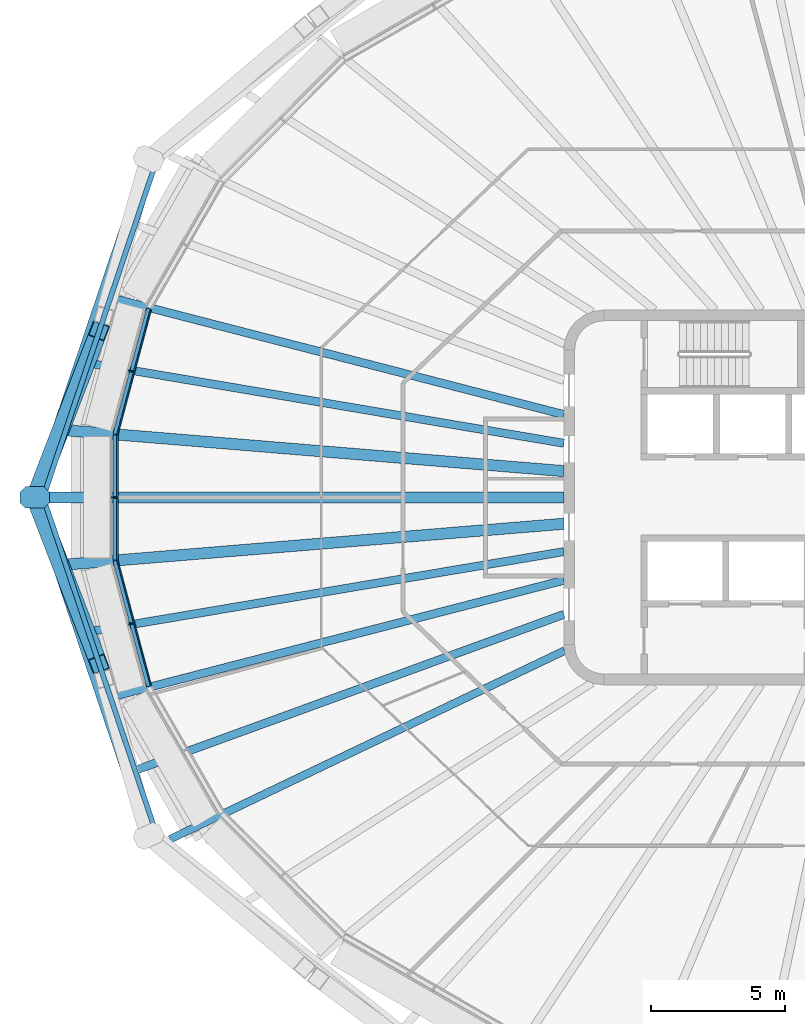
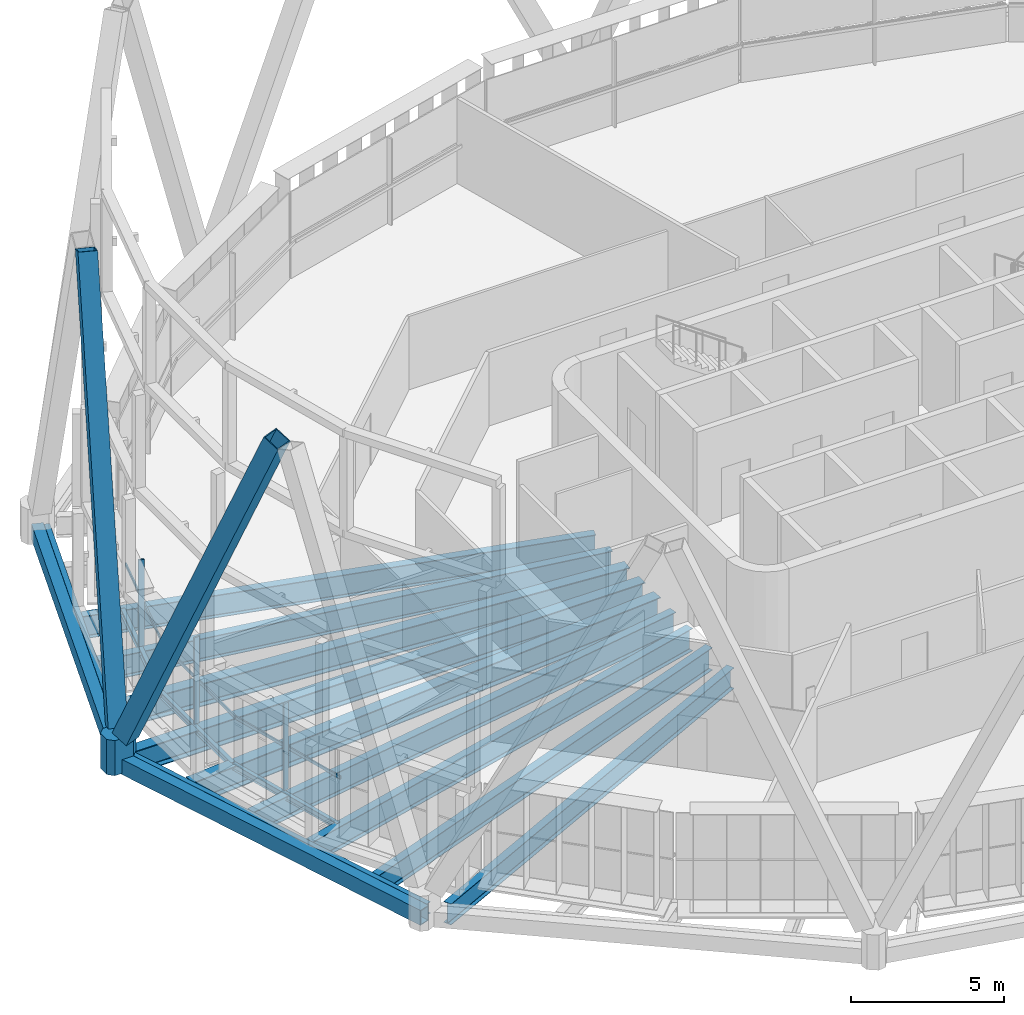
# One storey, part 3 of 22: 16 beams, 9 members, 3 elements without a shape of their own.
"""IFC4 building model written with IfcOpenShell, lengths in metres."""

from ifc_helpers import new_model, si_unit, direction, frame, origin, origin_2d, place, context, subcontext, project, spatial, polyline, rectangle, hollow_rectangle, i_section, outline, extrude, material, layer, layer_set, material_profile, profile_set, type_object, element, aggregate, save


model = new_model("IFC4")

# Units and contexts
model_context = context("Model", 3, precision=1e-05, world=origin(), true_north=direction((0.0, 1.0)))
body_context = subcontext(model_context, "Body", "Model", "MODEL_VIEW")
ifc_project = project(units=[si_unit("LENGTHUNIT", "METRE"), si_unit("AREAUNIT", "SQUARE_METRE"), si_unit("VOLUMEUNIT", "CUBIC_METRE"), si_unit("PLANEANGLEUNIT", "RADIAN"), si_unit("MASSUNIT", "GRAM", prefix="KILO")], contexts=[model_context])

# Site, building, storey
site_placement = place(None, origin())
site = spatial("IfcSite", under=ifc_project, at=site_placement, CompositionType="ELEMENT")
building_placement = place(site_placement, origin())
building = spatial("IfcBuilding", under=site, at=building_placement, Name="Sahrelin Media Tower", CompositionType="ELEMENT")
storey_placement = place(building_placement, frame((0.0, 0.0, 283.0)))
storey = spatial("IfcBuildingStorey", under=building, at=storey_placement, Name="L62", CompositionType="ELEMENT", Elevation=283.0)

# Members
ifc_material_1 = material(Name="Steel S460", Category="steel")
ifc_material_profile_1 = material_profile(ifc_material_1, hollow_rectangle(XDim=0.64990234375, YDim=0.64990234375, WallThickness=0.034912109375, at=origin_2d()), Name="Diagrid diagonal DG8")
ifc_profile_set_1 = profile_set([ifc_material_profile_1], Name="Steel S460")
member_type_1 = type_object("IfcMemberType", Name="Diagrid diagonal DG8", PredefinedType="BRACE", material=ifc_profile_set_1)
for number, where, z_axis, x_axis, name in (
    (1, (-31.649658203125, 0.284912109375, 0.699951171875), (0.14377018797, 0.373051450427, 0.916603921214), (-0.933103312613, 0.359608409232, 0.0), "Diagrid diagonal D14-11"),
    (2, (-31.649658203125, -0.284912109375, 0.699951171875), (0.14377018797, -0.373051450427, 0.916603921214), (0.933103312613, 0.359608409232, 0.0), "Diagrid diagonal D14-12"),
):
    element("IfcMember", number, at=place(storey_placement, frame(where, z_axis=z_axis, x_axis=x_axis)), inside=storey, type_object=member_type_1, Name=name, PredefinedType="BRACE", context=body_context, shape_type="SweptSolid", body=[
        extrude(hollow_rectangle(XDim=0.64990234375, YDim=0.64990234375, WallThickness=0.034912109375, at=origin_2d()), origin(), (0.0, 0.0, 1.0), 15.928466796875),
    ])
ifc_material_profile_2 = material_profile(ifc_material_1, outline(polyline([(0.35009765625, -0.39990234375), (0.550048828125, -0.199951171875), (0.550048828125, 0.199951171875), (0.35009765625, 0.39990234375), (-0.35009765625, 0.39990234375), (-0.550048828125, 0.199951171875), (-0.550048828125, -0.199951171875), (-0.35009765625, -0.39990234375), (0.35009765625, -0.39990234375)])), Name="Diagrid node block 1100")
ifc_profile_set_2 = profile_set([ifc_material_profile_2], Name="Steel S460")
member_type_2 = type_object("IfcMemberType", Name="Diagrid node block 1100", PredefinedType="USERDEFINED", material=ifc_profile_set_2)
member_1_placement = place(storey_placement, frame((-31.759521484375, 0.0, -0.699951171875), z_axis=(0.0, 0.0, 1.0), x_axis=(-1.0, 0.0, 0.0)))
element("IfcMember", 3, at=member_1_placement, inside=storey, type_object=member_type_2, Name="Diagrid node N14-06", ObjectType="NODE", PredefinedType="USERDEFINED", context=body_context, shape_type="SweptSolid", body=[
    extrude(outline(polyline([(0.35009765625, -0.39990234375), (0.550048828125, -0.199951171875), (0.550048828125, 0.199951171875), (0.35009765625, 0.39990234375), (-0.35009765625, 0.39990234375), (-0.550048828125, 0.199951171875), (-0.550048828125, -0.199951171875), (-0.35009765625, -0.39990234375), (0.35009765625, -0.39990234375)])), origin(), (0.0, 0.0, 1.0), 1.39990234375),
])

# Beams
ifc_material_profile_3 = material_profile(ifc_material_1, hollow_rectangle(XDim=0.39990234375, YDim=0.60009765625, WallThickness=0.030029296875, at=origin_2d()), Name="Diagrid ring beam RB1")
ifc_profile_set_3 = profile_set([ifc_material_profile_3], Name="Steel S460")
beam_type_1 = type_object("IfcBeamType", Name="Diagrid ring beam RB1", PredefinedType="BEAM", material=ifc_profile_set_3)
for number, where, z_axis, x_axis, name in (
    (4, (-27.50439453125, 12.645263671875, -0.449951171875), (-0.318927366854, -0.94777915923, 0.0), (0.94777915923, -0.318927366854, 0.0), "Diagrid ring beam RB14-05"),
    (5, (-31.759521484375, 0.0, -0.449951171875), (0.318927366854, -0.94777915923, 0.0), (0.94777915923, 0.318927366854, 0.0), "Diagrid ring beam RB14-06"),
):
    element("IfcBeam", number, at=place(storey_placement, frame(where, z_axis=z_axis, x_axis=x_axis)), inside=storey, type_object=beam_type_1, Name=name, PredefinedType="BEAM", context=body_context, shape_type="SweptSolid", body=[
        extrude(hollow_rectangle(XDim=0.39990234375, YDim=0.60009765625, WallThickness=0.030029296875, at=origin_2d()), origin(), (0.0, 0.0, 1.0), 13.342041015625),
    ])
ifc_material_2 = material(Name="Steel S355", Category="steel")
ifc_material_profile_4 = material_profile(ifc_material_2, i_section(OverallWidth=0.14599609375, OverallDepth=0.25146484375, WebThickness=0.006103515625, FlangeThickness=0.008544921875, FilletRadius=0.007568359375, at=origin_2d()), Name="UB 254x146x31")
ifc_profile_set_4 = profile_set([ifc_material_profile_4], Name="Steel S355")
beam_type_2 = type_object("IfcBeamType", Name="Edge beam EB1", PredefinedType="BEAM", material=ifc_profile_set_4)
beam_1_placement = place(storey_placement, frame((-27.5078125, -7.055908203125, -0.275634765625), z_axis=(-0.25881981979, 0.965925618712, 0.0), x_axis=(-0.965925618712, -0.25881981979, 0.0)))
element("IfcBeam", 6, at=beam_1_placement, inside=storey, type_object=beam_type_2, Name="Edge beam L62-12", PredefinedType="BEAM", context=body_context, shape_type="SweptSolid", body=[
    extrude(i_section(OverallWidth=0.14599609375, OverallDepth=0.25146484375, WebThickness=0.006103515625, FlangeThickness=0.008544921875, FilletRadius=0.007568359375, at=origin_2d()), origin(), (0.0, 0.0, 1.0), 4.85791015625),
])
beam_2_placement = place(storey_placement, frame((-28.768798828125, -2.3349609375, -0.275634765625), z_axis=(0.0, 1.0, 0.0), x_axis=(-1.0, 0.0, 0.0)))
element("IfcBeam", 7, at=beam_2_placement, inside=storey, type_object=beam_type_2, Name="Edge beam L62-13", PredefinedType="BEAM", context=body_context, shape_type="SweptSolid", body=[
    extrude(i_section(OverallWidth=0.14599609375, OverallDepth=0.25146484375, WebThickness=0.006103515625, FlangeThickness=0.008544921875, FilletRadius=0.007568359375, at=origin_2d()), origin(), (0.0, 0.0, 1.0), 4.669921875),
])
beam_3_placement = place(storey_placement, frame((-28.76513671875, 2.363525390625, -0.275634765625), z_axis=(0.25881981979, 0.965925618712, 0.0), x_axis=(-0.965925618712, 0.25881981979, 0.0)))
element("IfcBeam", 8, at=beam_3_placement, inside=storey, type_object=beam_type_2, Name="Edge beam L62-14", PredefinedType="BEAM", context=body_context, shape_type="SweptSolid", body=[
    extrude(i_section(OverallWidth=0.14599609375, OverallDepth=0.25146484375, WebThickness=0.006103515625, FlangeThickness=0.008544921875, FilletRadius=0.007568359375, at=origin_2d()), origin(), (0.0, 0.0, 1.0), 4.85791015625),
])

# Curtain wall, member
ifc_material_3 = material(Name="Champagne anodised aluminium 6063-T6", Category="aluminium")
ifc_layer = layer(ifc_material_3, 0.14990234375)
ifc_layer_set = layer_set([ifc_layer], Name="Tower ribbon curtain wall")
curtain_wall_type = type_object("IfcCurtainWallType", Name="Tower ribbon curtain wall", PredefinedType="NOTDEFINED", material=ifc_layer_set)
curtain_wall_1_placement = place(storey_placement, frame((-28.28125, 4.74853515625, 0.0), z_axis=(0.0, 0.0, 1.0), x_axis=(1.0, 0.0, 0.0)))
curtain_wall_1 = element("IfcCurtainWall", 9, at=curtain_wall_1_placement, inside=storey, type_object=curtain_wall_type, Name="L62:CW:L62-11", PredefinedType="NOTDEFINED")
ifc_material_profile_5 = material_profile(ifc_material_3, rectangle(XDim=0.06005859375, YDim=0.199951171875, at=origin_2d()), Name="Mullion 60x200")
ifc_profile_set_5 = profile_set([ifc_material_profile_5], Name="Champagne anodised aluminium 6063-T6")
member_type_3 = type_object("IfcMemberType", Name="Mullion 60x200 CW1C", PredefinedType="MULLION", material=ifc_profile_set_5)
member_2_placement = place(storey_placement, frame((-28.165283203125, 4.71728515625, 0.0), z_axis=(0.0, 0.0, 1.0), x_axis=(-0.258825788531, -0.965924019368, 0.0)))
member_2 = element("IfcMember", 10, at=member_2_placement, type_object=member_type_3, Name="L62:CWM:L62-11", PredefinedType="MULLION", context=body_context, shape_type="SweptSolid", body=[
    extrude(rectangle(XDim=0.06005859375, YDim=0.199951171875, at=origin_2d()), origin(), (0.0, 0.0, 1.0), 3.448486328125),
])

curtain_wall_2_placement = place(storey_placement, frame((-28.9189453125, 0.0, 0.0), z_axis=(0.0, 0.0, 1.0), x_axis=(1.0, 0.0, 0.0)))
curtain_wall_2 = element("IfcCurtainWall", 11, at=curtain_wall_2_placement, inside=storey, type_object=curtain_wall_type, Name="L62:CW:L62-12", PredefinedType="NOTDEFINED")
member_3_placement = place(storey_placement, frame((-28.798828125, 0.0, 0.0), z_axis=(0.0, 0.0, 1.0), x_axis=(0.0, -1.0, 0.0)))
member_3 = element("IfcMember", 12, at=member_3_placement, type_object=member_type_3, Name="L62:CWM:L62-12", PredefinedType="MULLION", context=body_context, shape_type="SweptSolid", body=[
    extrude(rectangle(XDim=0.06005859375, YDim=0.199951171875, at=origin_2d()), origin(), (0.0, 0.0, 1.0), 3.448486328125),
])

curtain_wall_3_placement = place(storey_placement, frame((-28.28125, -4.74853515625, 0.0), z_axis=(0.0, 0.0, 1.0), x_axis=(1.0, 0.0, 0.0)))
curtain_wall_3 = element("IfcCurtainWall", 13, at=curtain_wall_3_placement, inside=storey, type_object=curtain_wall_type, Name="L62:CW:L62-13", PredefinedType="NOTDEFINED")
member_4_placement = place(storey_placement, frame((-28.165283203125, -4.71728515625, 0.0), z_axis=(0.0, 0.0, 1.0), x_axis=(0.258825788531, -0.965924019368, 0.0)))
member_4 = element("IfcMember", 14, at=member_4_placement, type_object=member_type_3, Name="L62:CWM:L62-13", PredefinedType="MULLION", context=body_context, shape_type="SweptSolid", body=[
    extrude(rectangle(XDim=0.06005859375, YDim=0.199951171875, at=origin_2d()), origin(), (0.0, 0.0, 1.0), 3.448486328125),
])

# Beams
ifc_material_profile_6 = material_profile(ifc_material_2, i_section(OverallWidth=0.291748046875, OverallDepth=0.8349609375, WebThickness=0.013916015625, FlangeThickness=0.018798828125, FilletRadius=0.017822265625, at=origin_2d()), Name="UB 838x292x176")
ifc_profile_set_6 = profile_set([ifc_material_profile_6], Name="Steel S355")
beam_type_3 = type_object("IfcBeamType", Name="Radial primary beam PB10", PredefinedType="BEAM", material=ifc_profile_set_6)
beam_4_placement = place(storey_placement, frame((-11.970703125, -5.7216796875, -0.5673828125), z_axis=(-0.902234066449, -0.431246668787, 0.0), x_axis=(0.431246668787, -0.902234066449, 0.0)))
element("IfcBeam", 15, at=beam_4_placement, inside=storey, type_object=beam_type_3, Name="Radial beam L62-15", PredefinedType="BEAM", context=body_context, shape_type="SweptSolid", body=[
    extrude(i_section(OverallWidth=0.291748046875, OverallDepth=0.8349609375, WebThickness=0.013916015625, FlangeThickness=0.018798828125, FilletRadius=0.017822265625, at=origin_2d()), origin(), (0.0, 0.0, 1.0), 16.34130859375),
])
ifc_material_profile_7 = material_profile(ifc_material_2, i_section(OverallWidth=0.30322265625, OverallDepth=0.903076171875, WebThickness=0.01513671875, FlangeThickness=0.020263671875, FilletRadius=0.01904296875, at=origin_2d()), Name="UB 914x305x201")
ifc_profile_set_7 = profile_set([ifc_material_profile_7], Name="Steel S355")
beam_type_4 = type_object("IfcBeamType", Name="Radial primary beam PB11", PredefinedType="BEAM", material=ifc_profile_set_7)
for number, where, z_axis, x_axis, name in (
    (16, (-12.0, 3.093994140625, -0.6015625), (-0.968326610454, 0.249686954978, 0.0), (-0.249686954978, -0.968326610454, 0.0), "Radial beam L62-11"),
    (17, (-12.0, -3.093994140625, -0.6015625), (-0.968326610454, -0.249686954978, 0.0), (0.249686954978, -0.968326610454, 0.0), "Radial beam L62-14"),
):
    element("IfcBeam", number, at=place(storey_placement, frame(where, z_axis=z_axis, x_axis=x_axis)), inside=storey, type_object=beam_type_4, Name=name, PredefinedType="BEAM", context=body_context, shape_type="SweptSolid", body=[
        extrude(i_section(OverallWidth=0.30322265625, OverallDepth=0.903076171875, WebThickness=0.01513671875, FlangeThickness=0.020263671875, FilletRadius=0.01904296875, at=origin_2d()), origin(), (0.0, 0.0, 1.0), 17.390869140625),
    ])
ifc_material_profile_8 = material_profile(ifc_material_2, i_section(OverallWidth=0.41845703125, OverallDepth=0.911865234375, WebThickness=0.019287109375, FlangeThickness=0.031982421875, FilletRadius=0.024169921875, at=origin_2d()), Name="UB 914x419x343")
ifc_profile_set_8 = profile_set([ifc_material_profile_8], Name="Steel S355")
beam_type_5 = type_object("IfcBeamType", Name="Radial primary beam PB12", PredefinedType="BEAM", material=ifc_profile_set_8)
for number, where, z_axis, x_axis, name in (
    (18, (-12.0, 0.983154296875, -0.60595703125), (-0.996661417156, 0.081645695254, 0.0), (-0.081645695254, -0.996661417156, 0.0), "Radial beam L62-12"),
    (19, (-12.0, -0.983154296875, -0.60595703125), (-0.996661417156, -0.081645695254, 0.0), (0.081645695254, -0.996661417156, 0.0), "Radial beam L62-13"),
):
    element("IfcBeam", number, at=place(storey_placement, frame(where, z_axis=z_axis, x_axis=x_axis)), inside=storey, type_object=beam_type_5, Name=name, PredefinedType="BEAM", context=body_context, shape_type="SweptSolid", body=[
        extrude(i_section(OverallWidth=0.41845703125, OverallDepth=0.911865234375, WebThickness=0.019287109375, FlangeThickness=0.031982421875, FilletRadius=0.024169921875, at=origin_2d()), origin(), (0.0, 0.0, 1.0), 18.5634765625),
    ])
ifc_material_profile_9 = material_profile(ifc_material_2, i_section(OverallWidth=0.30322265625, OverallDepth=0.903076171875, WebThickness=0.01513671875, FlangeThickness=0.020263671875, FilletRadius=0.01904296875, at=origin_2d()), Name="UB 914x305x201")
ifc_profile_set_9 = profile_set([ifc_material_profile_9], Name="Steel S355")
beam_type_6 = type_object("IfcBeamType", Name="Radial secondary beam SB11", PredefinedType="BEAM", material=ifc_profile_set_9)
for number, where, z_axis, x_axis, name in (
    (20, (-12.0, 2.0234375, -0.6015625), (-0.986079327713, 0.166275552792, 0.0), (-0.166275552792, -0.986079327713, 0.0), "Secondary beam L62-11"),
    (21, (-12.0, -2.0234375, -0.6015625), (-0.986079327713, -0.166275552792, 0.0), (0.166275552792, -0.986079327713, 0.0), "Secondary beam L62-13"),
):
    element("IfcBeam", number, at=place(storey_placement, frame(where, z_axis=z_axis, x_axis=x_axis)), inside=storey, type_object=beam_type_6, Name=name, PredefinedType="BEAM", context=body_context, shape_type="SweptSolid", body=[
        extrude(i_section(OverallWidth=0.30322265625, OverallDepth=0.903076171875, WebThickness=0.01513671875, FlangeThickness=0.020263671875, FilletRadius=0.01904296875, at=origin_2d()), origin(), (0.0, 0.0, 1.0), 17.90869140625),
    ])
beam_5_placement = place(storey_placement, frame((-12.0, -4.368408203125, -0.6015625), z_axis=(-0.939678944204, -0.342057717089, 0.0), x_axis=(0.342057717089, -0.939678944204, 0.0)))
element("IfcBeam", 22, at=beam_5_placement, inside=storey, type_object=beam_type_6, Name="Secondary beam L62-14", PredefinedType="BEAM", context=body_context, shape_type="SweptSolid", body=[
    extrude(i_section(OverallWidth=0.30322265625, OverallDepth=0.903076171875, WebThickness=0.01513671875, FlangeThickness=0.020263671875, FilletRadius=0.01904296875, at=origin_2d()), origin(), (0.0, 0.0, 1.0), 16.944091796875),
])
ifc_material_profile_10 = material_profile(ifc_material_2, i_section(OverallWidth=0.41845703125, OverallDepth=0.911865234375, WebThickness=0.019287109375, FlangeThickness=0.031982421875, FilletRadius=0.024169921875, at=origin_2d()), Name="UB 914x419x343")
ifc_profile_set_10 = profile_set([ifc_material_profile_10], Name="Steel S355")
beam_type_7 = type_object("IfcBeamType", Name="Radial secondary beam SB12", PredefinedType="BEAM", material=ifc_profile_set_10)
beam_6_placement = place(storey_placement, frame((-12.0, 0.0, -0.60595703125), z_axis=(-1.0, 0.0, 0.0), x_axis=(0.0, -1.0, 0.0)))
element("IfcBeam", 23, at=beam_6_placement, inside=storey, type_object=beam_type_7, Name="Secondary beam L62-12", PredefinedType="BEAM", context=body_context, shape_type="SweptSolid", body=[
    extrude(i_section(OverallWidth=0.41845703125, OverallDepth=0.911865234375, WebThickness=0.019287109375, FlangeThickness=0.031982421875, FilletRadius=0.024169921875, at=origin_2d()), origin(), (0.0, 0.0, 1.0), 19.34228515625),
])
ifc_material_profile_11 = material_profile(ifc_material_2, i_section(OverallWidth=0.1904296875, OverallDepth=0.45703125, WebThickness=0.009033203125, FlangeThickness=0.014404296875, FilletRadius=0.01025390625, at=origin_2d()), Name="UB 457x191x74")
ifc_profile_set_11 = profile_set([ifc_material_profile_11], Name="Steel S355")
beam_type_8 = type_object("IfcBeamType", Name="Tie chord TC5", PredefinedType="BEAM", material=ifc_profile_set_11)
for number, where, z_axis, x_axis, name in (
    (24, (-27.248046875, -12.465576171875, -0.37841796875), (-0.318921760106, 0.947781045881, 0.0), (-0.947781045881, -0.318921760106, 0.0), "Tie chord L62-06"),
    (25, (-31.442626953125, 0.0, -0.37841796875), (0.318921760106, 0.947781045881, 0.0), (-0.947781045881, 0.318921760106, 0.0), "Tie chord L62-07"),
):
    element("IfcBeam", number, at=place(storey_placement, frame(where, z_axis=z_axis, x_axis=x_axis)), inside=storey, type_object=beam_type_8, Name=name, PredefinedType="BEAM", context=body_context, shape_type="SweptSolid", body=[
        extrude(i_section(OverallWidth=0.1904296875, OverallDepth=0.45703125, WebThickness=0.009033203125, FlangeThickness=0.014404296875, FilletRadius=0.01025390625, at=origin_2d()), origin(), (0.0, 0.0, 1.0), 13.15234375),
    ])

# Member
ifc_material_profile_12 = material_profile(ifc_material_3, rectangle(XDim=0.050048828125, YDim=0.1201171875, at=origin_2d()), Name="Transom 50x120")
ifc_profile_set_12 = profile_set([ifc_material_profile_12], Name="Champagne anodised aluminium 6063-T6")
member_type_4 = type_object("IfcMemberType", Name="Transom 50x120 CW1C", PredefinedType="USERDEFINED", material=ifc_profile_set_12)
member_5_placement = place(storey_placement, frame((-27.420166015625, 7.01611328125, 1.60009765625), z_axis=(-0.258783281788, -0.965935408331, 0.0), x_axis=(0.965935408331, -0.258783281788, 0.0)))
member_5 = element("IfcMember", 26, at=member_5_placement, type_object=member_type_4, Name="L62:CWT:L62-11", ObjectType="TRANSOM", PredefinedType="USERDEFINED", context=body_context, shape_type="SweptSolid", body=[
    extrude(rectangle(XDim=0.050048828125, YDim=0.1201171875, at=origin_2d()), origin(), (0.0, 0.0, 1.0), 4.826416015625),
])

aggregate(curtain_wall_1, [member_2, member_5])

member_6_placement = place(storey_placement, frame((-28.673828125, 2.319091796875, 1.60009765625), z_axis=(0.0, -1.0, 0.0), x_axis=(1.0, 0.0, 0.0)))
member_6 = element("IfcMember", 27, at=member_6_placement, type_object=member_type_4, Name="L62:CWT:L62-12", ObjectType="TRANSOM", PredefinedType="USERDEFINED", context=body_context, shape_type="SweptSolid", body=[
    extrude(rectangle(XDim=0.050048828125, YDim=0.1201171875, at=origin_2d()), origin(), (0.0, 0.0, 1.0), 4.63818359375),
])

aggregate(curtain_wall_2, [member_3, member_6])

member_7_placement = place(storey_placement, frame((-28.669189453125, -2.35400390625, 1.60009765625), z_axis=(0.258783281788, -0.965935408331, 0.0), x_axis=(0.965935408331, 0.258783281788, 0.0)))
member_7 = element("IfcMember", 28, at=member_7_placement, type_object=member_type_4, Name="L62:CWT:L62-13", ObjectType="TRANSOM", PredefinedType="USERDEFINED", context=body_context, shape_type="SweptSolid", body=[
    extrude(rectangle(XDim=0.050048828125, YDim=0.1201171875, at=origin_2d()), origin(), (0.0, 0.0, 1.0), 4.826416015625),
])

aggregate(curtain_wall_3, [member_4, member_7])

save(model, "model.ifc")
